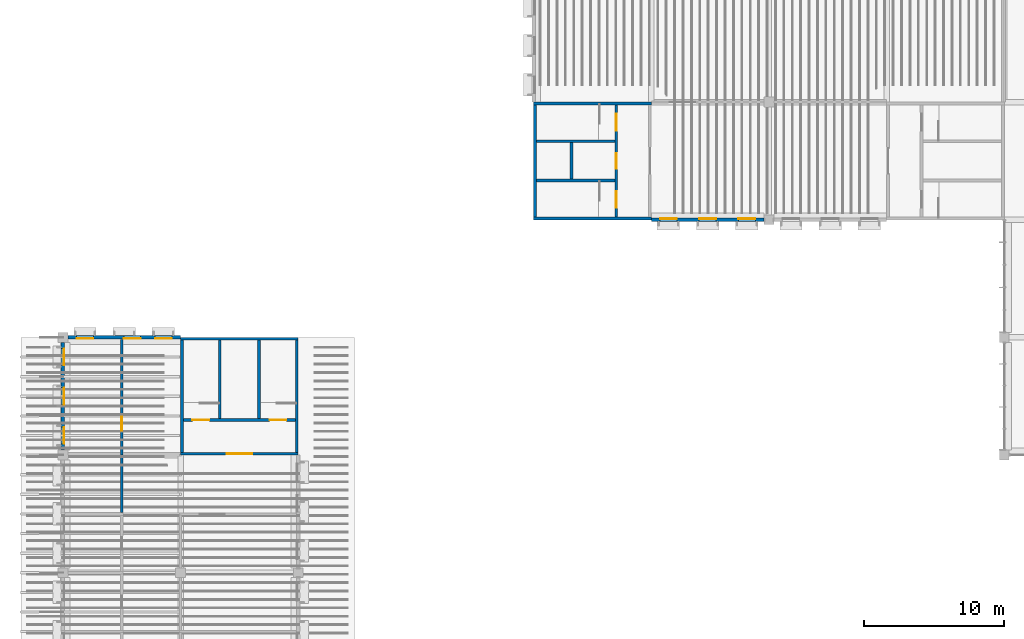
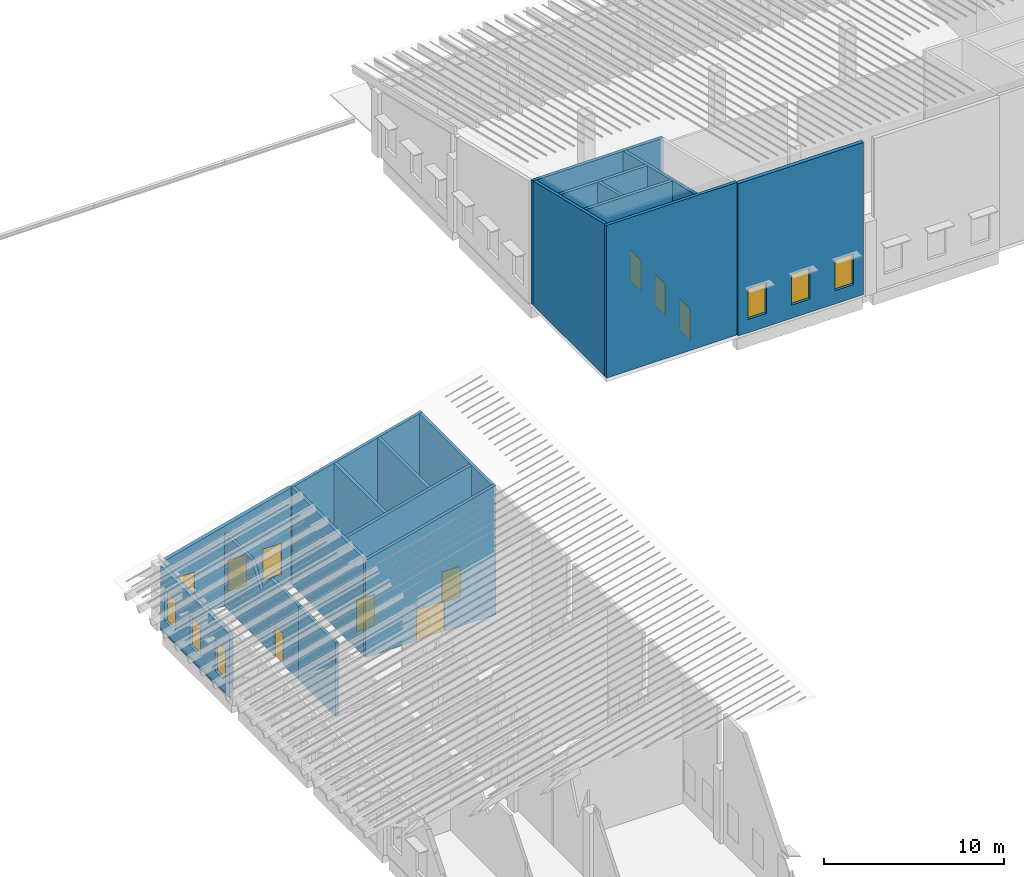
# One storey, part 23 of 82: 19 walls, 9 windows, 7 doors, 16 openings.
"""IFC4 building model written with IfcOpenShell, lengths in metres."""

import ifcopenshell
import ifcopenshell.guid

model = None  # the IFC model being written
_history = None  # IfcOwnerHistory: only IFC2X3 demands one
_inside = {}  # id of a spatial element -> (the spatial element, [elements in it])
_under = {}  # id of a project, library or spatial element -> (it, [spatial elements below it])
_declared = {}  # id of a project -> (the project, [libraries it declares])
_typed = {}  # id of a type object -> (the type object, [elements of that type])
_made_of = {}  # id of a material, layer set ... -> (it, [elements and type objects made of it])


def new_model(schema):
    """Start an empty IFC model of exactly this schema.

    Asked for "IFC4X3", IfcOpenShell would pick the latest addendum, in which some entities
    have other attributes; the version numbers below select the first issue.
    IFC2X3 requires an IfcOwnerHistory on every rooted entity: one is made here for all.
    """
    global model, _history
    if schema == "IFC4X3":
        model = ifcopenshell.file(schema_version=(4, 3, 0, 0))
    else:
        model = ifcopenshell.file(schema=schema)
    _inside.clear()
    _under.clear()
    _declared.clear()
    _typed.clear()
    _made_of.clear()
    _history = None
    if model.schema == "IFC2X3":
        org = make("IfcOrganization", Name="unknown")
        user = make(
            "IfcPersonAndOrganization",
            ThePerson=make("IfcPerson", FamilyName="unknown"),
            TheOrganization=org,
        )
        app = make(
            "IfcApplication",
            ApplicationDeveloper=org,
            Version="unknown",
            ApplicationFullName="unknown",
            ApplicationIdentifier="unknown",
        )
        _history = make(
            "IfcOwnerHistory",
            OwningUser=user,
            OwningApplication=app,
            ChangeAction="ADDED",
            CreationDate=0,
        )
    return model


def make(cls, **values):
    """One entity of the class cls with the attributes given. An attribute that is None is left unset."""
    return model.create_entity(
        cls, **{name: value for name, value in values.items() if value is not None}
    )


def rooted(cls, **values):
    """An entity with a GlobalId (a new one), such as an element, a storey or a relation."""
    return make(cls, GlobalId=ifcopenshell.guid.new(), OwnerHistory=_history, **values)


def si_unit(unit_type, name, prefix=None):
    """IfcSIUnit, for example si_unit("LENGTHUNIT", "METRE", prefix="MILLI")."""
    return make("IfcSIUnit", UnitType=unit_type, Prefix=prefix, Name=name)


def assignment(units):
    """IfcUnitAssignment: the units of a project."""
    return None if units is None else make("IfcUnitAssignment", Units=units)


def point(xyz):
    """IfcCartesianPoint."""
    return None if xyz is None else make("IfcCartesianPoint", Coordinates=xyz)


def direction(xyz):
    """IfcDirection."""
    return None if xyz is None else make("IfcDirection", DirectionRatios=xyz)


def frame(location, z_axis=None, x_axis=None):
    """IfcAxis2Placement3D, a coordinate frame: its origin and axes. An axis left out is left unset."""
    return make(
        "IfcAxis2Placement3D",
        Location=point(location),
        Axis=direction(z_axis),
        RefDirection=direction(x_axis),
    )


def frame_2d(location, x_axis=None):
    """IfcAxis2Placement2D, a coordinate frame in the plane: its origin and x axis."""
    return make(
        "IfcAxis2Placement2D", Location=point(location), RefDirection=direction(x_axis)
    )


def origin():
    """The frame at (0, 0, 0) with its axes left unset."""
    return frame((0.0, 0.0, 0.0))


def place(relative_to, where):
    """IfcLocalPlacement: puts the frame where relative to a parent placement (None: the world)."""
    return make(
        "IfcLocalPlacement", PlacementRelTo=relative_to, RelativePlacement=where
    )


def context(
    kind, dimensions, precision=None, world=None, true_north=None, identifier=None
):
    """IfcGeometricRepresentationContext, for example the 3D "Model" context."""
    return make(
        "IfcGeometricRepresentationContext",
        ContextIdentifier=identifier,
        ContextType=kind,
        CoordinateSpaceDimension=dimensions,
        Precision=precision,
        WorldCoordinateSystem=world,
        TrueNorth=true_north,
    )


def subcontext(parent, identifier, kind, view, scale=None):
    """IfcGeometricRepresentationSubContext, for example "Body" below "Model"."""
    return make(
        "IfcGeometricRepresentationSubContext",
        ContextIdentifier=identifier,
        ContextType=kind,
        ParentContext=parent,
        TargetScale=scale,
        TargetView=view,
    )


def project(units=None, contexts=None):
    """IfcProject with its units and contexts."""
    return rooted(
        "IfcProject",
        Name="project",
        RepresentationContexts=contexts,
        UnitsInContext=assignment(units),
    )


def spatial(cls, under=None, at=None, **own):
    """A site, building, storey or space (cls), placed at a placement, below another one or the project."""
    s = rooted(cls, ObjectPlacement=at, **own)
    if under is not None:
        _under.setdefault(under.id(), (under, []))[1].append(s)
    return s


def polyline(points):
    """IfcPolyline through the points."""
    return make("IfcPolyline", Points=[point(p) for p in points])


def profile(cls, at=None, kind="AREA", **sizes):
    """A parametric profile (cls). Its sizes go by their IFC names, for example OverallWidth=200.0."""
    return make(cls, ProfileType=kind, Position=at, **sizes)


def rectangle(**sizes):
    """IfcRectangleProfileDef."""
    return profile("IfcRectangleProfileDef", **sizes)


def outline(outer, holes=None, kind="AREA"):
    """IfcArbitraryClosedProfileDef: a profile drawn as a closed curve; with holes, ...WithVoids."""
    if holes is None:
        return make("IfcArbitraryClosedProfileDef", ProfileType=kind, OuterCurve=outer)
    return make(
        "IfcArbitraryProfileDefWithVoids",
        ProfileType=kind,
        OuterCurve=outer,
        InnerCurves=holes,
    )


def extrude(swept, where, along, depth):
    """IfcExtrudedAreaSolid: the profile swept, set in the frame where, extruded along a direction by depth."""
    return make(
        "IfcExtrudedAreaSolid",
        SweptArea=swept,
        Position=where,
        ExtrudedDirection=direction(along),
        Depth=depth,
    )


def shape(context_of_items, identifier, shape_type, items):
    """IfcShapeRepresentation: the items that make up one representation, for example the "Body"."""
    return make(
        "IfcShapeRepresentation",
        ContextOfItems=context_of_items,
        RepresentationIdentifier=identifier,
        RepresentationType=shape_type,
        Items=items,
    )


def material(Name=None, Category=None):
    """IfcMaterial."""
    return make("IfcMaterial", Name=Name, Category=Category)


def layer(
    of_material, thickness, ventilated=None, Name=None, Category=None, Priority=None
):
    """IfcMaterialLayer: one layer of a wall or slab, of a material (None: an air gap)."""
    return make(
        "IfcMaterialLayer",
        Material=of_material,
        LayerThickness=thickness,
        IsVentilated=ventilated,
        Name=Name,
        Category=Category,
        Priority=Priority,
    )


def layer_set(layers, Name=None):
    """IfcMaterialLayerSet."""
    return make("IfcMaterialLayerSet", MaterialLayers=layers, LayerSetName=Name)


def made_of(thing, what):
    """Note that an element or type object is made of a material, layer set ...; save() writes the relation."""
    if what is not None:
        _made_of.setdefault(what.id(), (what, []))[1].append(thing)
    return thing


def type_object(cls, material=None, **own):
    """A type object (cls), such as IfcWallType, which elements share."""
    return made_of(rooted(cls, **own), material)


def element(
    cls,
    number,
    at=None,
    inside=None,
    cuts=None,
    type_object=None,
    material=None,
    context=None,
    identifier="Body",
    shape_type=None,
    held_by="IfcProductDefinitionShape",
    body=None,
    shapes=None,
    **own,
):
    """One element of the class cls, such as IfcWall. Its Tag is "e" and its number.

    at: its placement. inside: the storey or other place that contains it. cuts: it is an
    opening in that element (IfcRelVoidsElement). A single representation is given by context,
    identifier, shape_type and body (its items); several are given by shapes. held_by: the class
    of the entity that holds the representations. save() writes the other relations.
    """
    e = rooted(cls, Tag="e%d" % number, ObjectPlacement=at, **own)
    if body is not None:
        shapes = [shape(context, identifier, shape_type, body)]
    if shapes is not None:
        e.Representation = make(held_by, Representations=shapes)
    if inside is not None:
        _inside.setdefault(inside.id(), (inside, []))[1].append(e)
    if cuts is not None:
        rooted(
            "IfcRelVoidsElement", RelatingBuildingElement=cuts, RelatedOpeningElement=e
        )
    if type_object is not None:
        _typed.setdefault(type_object.id(), (type_object, []))[1].append(e)
    return made_of(e, material)


def fill(opening, filler):
    """IfcRelFillsElement: the door or window that sits in an opening."""
    return rooted(
        "IfcRelFillsElement",
        RelatingOpeningElement=opening,
        RelatedBuildingElement=filler,
    )


def aggregate(whole, parts):
    """IfcRelAggregates: a whole, such as a stair, and the parts it consists of."""
    return rooted("IfcRelAggregates", RelatingObject=whole, RelatedObjects=parts)


def save(model, path):
    """Write the relations noted so far, then the file.

    IfcRelAggregates (storeys below a building ...), IfcRelContainedInSpatialStructure (elements
    in a storey), IfcRelDefinesByType, IfcRelAssociatesMaterial and IfcRelDeclares: one each for
    every whole, place, type object, material and project.
    """
    for whole, parts in _under.values():
        aggregate(whole, parts)
    for where, things in _inside.values():
        rooted(
            "IfcRelContainedInSpatialStructure",
            RelatedElements=things,
            RelatingStructure=where,
        )
    for kind, things in _typed.values():
        rooted("IfcRelDefinesByType", RelatedObjects=things, RelatingType=kind)
    for what, things in _made_of.values():
        rooted("IfcRelAssociatesMaterial", RelatedObjects=things, RelatingMaterial=what)
    for by, libraries in _declared.values():
        rooted("IfcRelDeclares", RelatingContext=by, RelatedDefinitions=libraries)
    model.write(path)


model = new_model("IFC4")

# Units and contexts
model_context = context("Model", 3, precision=1e-05, world=origin(), true_north=direction((0.0, 1.0)))
body_context = subcontext(model_context, "Body", "Model", "MODEL_VIEW")
ifc_project = project(units=[si_unit("LENGTHUNIT", "METRE"), si_unit("AREAUNIT", "SQUARE_METRE"), si_unit("VOLUMEUNIT", "CUBIC_METRE"), si_unit("PLANEANGLEUNIT", "RADIAN"), si_unit("MASSUNIT", "GRAM", prefix="KILO")], contexts=[model_context])

# Site, building, storey
site_placement = place(None, origin())
site = spatial("IfcSite", under=ifc_project, at=site_placement, CompositionType="ELEMENT")
building_placement = place(site_placement, origin())
building = spatial("IfcBuilding", under=site, at=building_placement, Name="Almond Square Museum", CompositionType="ELEMENT")
storey_placement = place(building_placement, frame((0.0, 0.0, 20.0)))
storey = spatial("IfcBuildingStorey", under=building, at=storey_placement, Name="L03", CompositionType="ELEMENT", Elevation=20.0)

# Wall
ifc_material_1 = material(Name="Concrete blockwork 200", Category="masonry")
ifc_layer_1 = layer(ifc_material_1, 0.199951171875)
ifc_layer_set_1 = layer_set([ifc_layer_1], Name="Concrete blockwork 200")
wall_type_1 = type_object("IfcWallType", Name="Fire partition 200 blockwork", PredefinedType="PARTITIONING", material=ifc_layer_set_1)
wall_1_placement = place(storey_placement, frame((10.199951171875, 63.10009765625, 0.0), z_axis=(0.0, 0.0, 1.0), x_axis=(0.0, 1.0, 0.0)))
element("IfcWall", 1, at=wall_1_placement, inside=storey, type_object=wall_type_1, Name="L03 partition 20", PredefinedType="PARTITIONING", context=body_context, shape_type="SweptSolid", body=[
    extrude(rectangle(XDim=4.099853515625, YDim=0.199951171875, at=frame_2d((2.0498046875, 0.0))), origin(), (0.0, 0.0, 1.0), 5.0),
])

# Wall, opening, door
wall_2_placement = place(storey_placement, frame((10.199951171875, 67.199951171875, 0.0), z_axis=(0.0, 0.0, 1.0), x_axis=(0.0, 1.0, 0.0)))
wall_2 = element("IfcWall", 2, at=wall_2_placement, inside=storey, type_object=wall_type_1, Name="L03 partition 21", PredefinedType="PARTITIONING", context=body_context, shape_type="SweptSolid", body=[
    extrude(outline(polyline([(0.0, 0.0), (8.25, 0.0), (8.25, 5.0), (5.25, 5.0), (4.199951171875, 3.56201171875), (3.14990234375, 5.0), (0.0, 5.0), (0.0, 0.0)])), frame((0.0, 0.10009765625, 0.0), z_axis=(0.0, -1.0, 0.0), x_axis=(1.0, 0.0, 0.0)), (0.0, 0.0, 1.0), 0.199951171875),
])
opening_1_placement = place(wall_2_placement, frame((1.72509765625, 0.0, 0.0)))
opening_1 = element("IfcOpeningElement", 3, at=opening_1_placement, cuts=wall_2, Name="Opening D3105", PredefinedType="OPENING", context=body_context, shape_type="SweptSolid", body=[
    extrude(rectangle(XDim=1.0, YDim=2.10009765625, at=frame_2d((0.5, 1.050048828125))), frame((0.0, 0.10986328125, 0.0), z_axis=(0.0, -1.0, 0.0), x_axis=(1.0, 0.0, 0.0)), (0.0, 0.0, 1.0), 0.219970703125),
])
ifc_material_2 = material(Name="Steel", Category="steel")
door_type_1 = type_object("IfcDoorType", Name="Fire door 1000 x 2100 FD60 single", OperationType="NOTDEFINED", PredefinedType="DOOR", material=ifc_material_2)
door_1_placement = place(opening_1_placement, origin())
door_1 = element("IfcDoor", 4, at=door_1_placement, inside=storey, type_object=door_type_1, Name="L03 door Cleaners' Store 1 to Wing Corridor", OperationType="SINGLE_SWING_LEFT", OverallHeight=2.10009765625, OverallWidth=1.0, PredefinedType="DOOR", context=body_context, shape_type="SweptSolid", body=[
    extrude(rectangle(XDim=1.0, YDim=2.10009765625, at=frame_2d((0.5, 1.050048828125))), frame((0.0, 0.02490234375, 0.0), z_axis=(0.0, -1.0, 0.0), x_axis=(1.0, 0.0, 0.0)), (0.0, 0.0, 1.0), 0.050048828125),
])
fill(opening_1, door_1)

# Wall, openings, windows
ifc_material_3 = material(Name="Precast concrete C40/50", Category="concrete")
ifc_layer_2 = layer(ifc_material_3, 0.25)
ifc_layer_set_2 = layer_set([ifc_layer_2], Name="Precast concrete C40/50")
wall_type_2 = type_object("IfcWallType", Name="Precast concrete panel wall 250 with coral limestone piers", PredefinedType="SOLIDWALL", material=ifc_layer_set_2)
wall_3_placement = place(storey_placement, frame((6.35009765625, 75.60009765625, 0.0), z_axis=(0.0, 0.0, 1.0), x_axis=(1.0, 0.0, 0.0)))
wall_3 = element("IfcWall", 5, at=wall_3_placement, inside=storey, type_object=wall_type_2, Name="External wall W2 V4W L03 N01", PredefinedType="SOLIDWALL", context=body_context, shape_type="SweptSolid", body=[
    extrude(outline(polyline([(0.0, 0.0), (8.0498046875, 0.0), (8.050048828125, 6.545654296875), (0.0, 4.437255859375), (0.0, 0.0)])), frame((0.0, 0.125, 0.0), z_axis=(0.0, -1.0, 0.0), x_axis=(1.0, 0.0, 0.0)), (0.0, 0.0, 1.0), 0.25),
])
opening_2_placement = place(wall_3_placement, frame((0.625, 0.0, 0.89990234375)))
opening_2 = element("IfcOpeningElement", 6, at=opening_2_placement, cuts=wall_3, Name="Opening W3032", PredefinedType="OPENING", context=body_context, shape_type="SweptSolid", body=[
    extrude(rectangle(XDim=1.199951171875, YDim=2.10009765625, at=frame_2d((0.60009765625, 1.050048828125))), frame((0.0, 0.135009765625, 0.0), z_axis=(0.0, -1.0, 0.0), x_axis=(1.0, 0.0, 0.0)), (0.0, 0.0, 1.0), 0.27001953125),
])
opening_3_placement = place(wall_3_placement, frame((4.0, 0.0, 0.89990234375)))
opening_3 = element("IfcOpeningElement", 7, at=opening_3_placement, cuts=wall_3, Name="Opening W3033", PredefinedType="OPENING", context=body_context, shape_type="SweptSolid", body=[
    extrude(rectangle(XDim=1.199951171875, YDim=2.10009765625, at=frame_2d((0.60009765625, 1.050048828125))), frame((0.0, 0.135009765625, 0.0), z_axis=(0.0, -1.0, 0.0), x_axis=(1.0, 0.0, 0.0)), (0.0, 0.0, 1.0), 0.27001953125),
])
opening_4_placement = place(wall_3_placement, frame((6.22509765625, 0.0, 0.89990234375)))
opening_4 = element("IfcOpeningElement", 8, at=opening_4_placement, cuts=wall_3, Name="Opening W3034", PredefinedType="OPENING", context=body_context, shape_type="SweptSolid", body=[
    extrude(rectangle(XDim=1.199951171875, YDim=2.10009765625, at=frame_2d((0.60009765625, 1.050048828125))), frame((0.0, 0.135009765625, 0.0), z_axis=(0.0, -1.0, 0.0), x_axis=(1.0, 0.0, 0.0)), (0.0, 0.0, 1.0), 0.27001953125),
])
ifc_material_4 = material(Name="Anodised aluminium louvre and laminated glass", Category="aluminium")
window_type = type_object("IfcWindowType", Name="Louvred pier window", PartitioningType="SINGLE_PANEL", PredefinedType="WINDOW", material=ifc_material_4)
window_1_placement = place(opening_2_placement, origin())
window_1 = element("IfcWindow", 9, at=window_1_placement, inside=storey, type_object=window_type, Name="Louvred pier window W3032", OverallHeight=2.10009765625, OverallWidth=1.199951171875, PartitioningType="SINGLE_PANEL", PredefinedType="WINDOW", context=body_context, shape_type="SweptSolid", body=[
    extrude(rectangle(XDim=1.199951171875, YDim=2.10009765625, at=frame_2d((0.60009765625, 1.050048828125))), frame((0.0, -0.044921875, 0.0), z_axis=(0.0, -1.0, 0.0), x_axis=(1.0, 0.0, 0.0)), (0.0, 0.0, 1.0), 0.06005859375),
])
fill(opening_2, window_1)
window_2_placement = place(opening_3_placement, origin())
window_2 = element("IfcWindow", 10, at=window_2_placement, inside=storey, type_object=window_type, Name="Louvred pier window W3033", OverallHeight=2.10009765625, OverallWidth=1.199951171875, PartitioningType="SINGLE_PANEL", PredefinedType="WINDOW", context=body_context, shape_type="SweptSolid", body=[
    extrude(rectangle(XDim=1.199951171875, YDim=2.10009765625, at=frame_2d((0.60009765625, 1.050048828125))), frame((0.0, -0.044921875, 0.0), z_axis=(0.0, -1.0, 0.0), x_axis=(1.0, 0.0, 0.0)), (0.0, 0.0, 1.0), 0.06005859375),
])
fill(opening_3, window_2)
window_3_placement = place(opening_4_placement, origin())
window_3 = element("IfcWindow", 11, at=window_3_placement, inside=storey, type_object=window_type, Name="Louvred pier window W3034", OverallHeight=2.10009765625, OverallWidth=1.199951171875, PartitioningType="SINGLE_PANEL", PredefinedType="WINDOW", context=body_context, shape_type="SweptSolid", body=[
    extrude(rectangle(XDim=1.199951171875, YDim=2.10009765625, at=frame_2d((0.60009765625, 1.050048828125))), frame((0.0, -0.044921875, 0.0), z_axis=(0.0, -1.0, 0.0), x_axis=(1.0, 0.0, 0.0)), (0.0, 0.0, 1.0), 0.06005859375),
])
fill(opening_4, window_3)

wall_4_placement = place(storey_placement, frame((6.0, 67.550048828125, 0.0), z_axis=(0.0, 0.0, 1.0), x_axis=(0.0, 1.0, 0.0)))
wall_4 = element("IfcWall", 12, at=wall_4_placement, inside=storey, type_object=wall_type_2, Name="External wall W2 V4W L03 W01", PredefinedType="SOLIDWALL", context=body_context, shape_type="SweptSolid", body=[
    extrude(rectangle(XDim=7.699951171875, YDim=0.25, at=frame_2d((3.85009765625, 0.0))), origin(), (0.0, 0.0, 1.0), 4.345703125),
])
opening_5_placement = place(wall_4_placement, frame((0.449951171875, 0.0, 0.89990234375)))
opening_5 = element("IfcOpeningElement", 13, at=opening_5_placement, cuts=wall_4, Name="Opening W3035", PredefinedType="OPENING", context=body_context, shape_type="SweptSolid", body=[
    extrude(rectangle(XDim=1.199951171875, YDim=2.10009765625, at=frame_2d((0.60009765625, 1.050048828125))), frame((0.0, 0.135009765625, 0.0), z_axis=(0.0, -1.0, 0.0), x_axis=(1.0, 0.0, 0.0)), (0.0, 0.0, 1.0), 0.27001953125),
])
opening_6_placement = place(wall_4_placement, frame((3.25, 0.0, 0.89990234375)))
opening_6 = element("IfcOpeningElement", 14, at=opening_6_placement, cuts=wall_4, Name="Opening W3036", PredefinedType="OPENING", context=body_context, shape_type="SweptSolid", body=[
    extrude(rectangle(XDim=1.199951171875, YDim=2.10009765625, at=frame_2d((0.60009765625, 1.050048828125))), frame((0.0, 0.135009765625, 0.0), z_axis=(0.0, -1.0, 0.0), x_axis=(1.0, 0.0, 0.0)), (0.0, 0.0, 1.0), 0.27001953125),
])
opening_7_placement = place(wall_4_placement, frame((6.050048828125, 0.0, 0.89990234375)))
opening_7 = element("IfcOpeningElement", 15, at=opening_7_placement, cuts=wall_4, Name="Opening W3037", PredefinedType="OPENING", context=body_context, shape_type="SweptSolid", body=[
    extrude(rectangle(XDim=1.199951171875, YDim=2.10009765625, at=frame_2d((0.60009765625, 1.050048828125))), frame((0.0, 0.135009765625, 0.0), z_axis=(0.0, -1.0, 0.0), x_axis=(1.0, 0.0, 0.0)), (0.0, 0.0, 1.0), 0.27001953125),
])
window_4_placement = place(opening_5_placement, origin())
window_4 = element("IfcWindow", 16, at=window_4_placement, inside=storey, type_object=window_type, Name="Louvred pier window W3035", OverallHeight=2.10009765625, OverallWidth=1.199951171875, PartitioningType="SINGLE_PANEL", PredefinedType="WINDOW", context=body_context, shape_type="SweptSolid", body=[
    extrude(rectangle(XDim=1.199951171875, YDim=2.10009765625, at=frame_2d((0.60009765625, 1.050048828125))), frame((0.0, -0.044921875, 0.0), z_axis=(0.0, -1.0, 0.0), x_axis=(1.0, 0.0, 0.0)), (0.0, 0.0, 1.0), 0.06005859375),
])
fill(opening_5, window_4)
window_5_placement = place(opening_6_placement, origin())
window_5 = element("IfcWindow", 17, at=window_5_placement, inside=storey, type_object=window_type, Name="Louvred pier window W3036", OverallHeight=2.10009765625, OverallWidth=1.199951171875, PartitioningType="SINGLE_PANEL", PredefinedType="WINDOW", context=body_context, shape_type="SweptSolid", body=[
    extrude(rectangle(XDim=1.199951171875, YDim=2.10009765625, at=frame_2d((0.60009765625, 1.050048828125))), frame((0.0, -0.044921875, 0.0), z_axis=(0.0, -1.0, 0.0), x_axis=(1.0, 0.0, 0.0)), (0.0, 0.0, 1.0), 0.06005859375),
])
fill(opening_6, window_5)
window_6_placement = place(opening_7_placement, origin())
window_6 = element("IfcWindow", 18, at=window_6_placement, inside=storey, type_object=window_type, Name="Louvred pier window W3037", OverallHeight=2.10009765625, OverallWidth=1.199951171875, PartitioningType="SINGLE_PANEL", PredefinedType="WINDOW", context=body_context, shape_type="SweptSolid", body=[
    extrude(rectangle(XDim=1.199951171875, YDim=2.10009765625, at=frame_2d((0.60009765625, 1.050048828125))), frame((0.0, -0.044921875, 0.0), z_axis=(0.0, -1.0, 0.0), x_axis=(1.0, 0.0, 0.0)), (0.0, 0.0, 1.0), 0.06005859375),
])
fill(opening_7, window_6)

wall_5_placement = place(storey_placement, frame((48.0, 84.0, 0.0), z_axis=(0.0, 0.0, 1.0), x_axis=(1.0, 0.0, 0.0)))
wall_5 = element("IfcWall", 19, at=wall_5_placement, inside=storey, type_object=wall_type_2, Name="External wall W2 V4N L03 S01", PredefinedType="SOLIDWALL", context=body_context, shape_type="SweptSolid", body=[
    extrude(rectangle(XDim=8.050048828125, YDim=0.25, at=frame_2d((4.02490234375, 0.0))), origin(), (0.0, 0.0, 1.0), 10.349365234375),
])
opening_8_placement = place(wall_5_placement, frame((0.625, 0.0, 0.89990234375)))
opening_8 = element("IfcOpeningElement", 20, at=opening_8_placement, cuts=wall_5, Name="Opening W3075", PredefinedType="OPENING", context=body_context, shape_type="SweptSolid", body=[
    extrude(rectangle(XDim=1.199951171875, YDim=2.10009765625, at=frame_2d((0.60009765625, 1.050048828125))), frame((0.0, 0.135009765625, 0.0), z_axis=(0.0, -1.0, 0.0), x_axis=(1.0, 0.0, 0.0)), (0.0, 0.0, 1.0), 0.27001953125),
])
opening_9_placement = place(wall_5_placement, frame((3.425048828125, 0.0, 0.89990234375)))
opening_9 = element("IfcOpeningElement", 21, at=opening_9_placement, cuts=wall_5, Name="Opening W3076", PredefinedType="OPENING", context=body_context, shape_type="SweptSolid", body=[
    extrude(rectangle(XDim=1.199951171875, YDim=2.10009765625, at=frame_2d((0.60009765625, 1.050048828125))), frame((0.0, 0.135009765625, 0.0), z_axis=(0.0, -1.0, 0.0), x_axis=(1.0, 0.0, 0.0)), (0.0, 0.0, 1.0), 0.27001953125),
])
opening_10_placement = place(wall_5_placement, frame((6.22509765625, 0.0, 0.89990234375)))
opening_10 = element("IfcOpeningElement", 22, at=opening_10_placement, cuts=wall_5, Name="Opening W3077", PredefinedType="OPENING", context=body_context, shape_type="SweptSolid", body=[
    extrude(rectangle(XDim=1.199951171875, YDim=2.10009765625, at=frame_2d((0.60009765625, 1.050048828125))), frame((0.0, 0.135009765625, 0.0), z_axis=(0.0, -1.0, 0.0), x_axis=(1.0, 0.0, 0.0)), (0.0, 0.0, 1.0), 0.27001953125),
])
window_7_placement = place(opening_8_placement, origin())
window_7 = element("IfcWindow", 23, at=window_7_placement, inside=storey, type_object=window_type, Name="Louvred pier window W3075", OverallHeight=2.10009765625, OverallWidth=1.199951171875, PartitioningType="SINGLE_PANEL", PredefinedType="WINDOW", context=body_context, shape_type="SweptSolid", body=[
    extrude(rectangle(XDim=1.199951171875, YDim=2.10009765625, at=frame_2d((0.60009765625, 1.050048828125))), frame((0.0, 0.10498046875, 0.0), z_axis=(0.0, -1.0, 0.0), x_axis=(1.0, 0.0, 0.0)), (0.0, 0.0, 1.0), 0.06005859375),
])
fill(opening_8, window_7)
window_8_placement = place(opening_9_placement, origin())
window_8 = element("IfcWindow", 24, at=window_8_placement, inside=storey, type_object=window_type, Name="Louvred pier window W3076", OverallHeight=2.10009765625, OverallWidth=1.199951171875, PartitioningType="SINGLE_PANEL", PredefinedType="WINDOW", context=body_context, shape_type="SweptSolid", body=[
    extrude(rectangle(XDim=1.199951171875, YDim=2.10009765625, at=frame_2d((0.60009765625, 1.050048828125))), frame((0.0, 0.10498046875, 0.0), z_axis=(0.0, -1.0, 0.0), x_axis=(1.0, 0.0, 0.0)), (0.0, 0.0, 1.0), 0.06005859375),
])
fill(opening_9, window_8)
window_9_placement = place(opening_10_placement, origin())
window_9 = element("IfcWindow", 25, at=window_9_placement, inside=storey, type_object=window_type, Name="Louvred pier window W3077", OverallHeight=2.10009765625, OverallWidth=1.199951171875, PartitioningType="SINGLE_PANEL", PredefinedType="WINDOW", context=body_context, shape_type="SweptSolid", body=[
    extrude(rectangle(XDim=1.199951171875, YDim=2.10009765625, at=frame_2d((0.60009765625, 1.050048828125))), frame((0.0, 0.10498046875, 0.0), z_axis=(0.0, -1.0, 0.0), x_axis=(1.0, 0.0, 0.0)), (0.0, 0.0, 1.0), 0.06005859375),
])
fill(opening_10, window_9)

# Walls
ifc_material_5 = material(Name="Concrete C40/50", Category="concrete")
ifc_layer_3 = layer(ifc_material_5, 0.199951171875)
ifc_layer_set_3 = layer_set([ifc_layer_3], Name="Concrete C40/50")
wall_type_3 = type_object("IfcWallType", Name="RC shear wall 200 C40/50", PredefinedType="SHEAR", material=ifc_layer_set_3)
wall_6_placement = place(storey_placement, frame((39.60009765625, 84.10009765625, 0.0), z_axis=(0.0, 0.0, 1.0), x_axis=(1.0, 0.0, 0.0)))
element("IfcWall", 26, at=wall_6_placement, inside=storey, type_object=wall_type_3, Name="Core N1 south wall L03", PredefinedType="SHEAR", context=body_context, shape_type="SweptSolid", body=[
    extrude(rectangle(XDim=8.39990234375, YDim=0.199951171875, at=frame_2d((4.199951171875, 0.0))), origin(), (0.0, 0.0, 1.0), 10.375),
])
wall_7_placement = place(storey_placement, frame((39.60009765625, 92.300048828125, 0.0), z_axis=(0.0, 0.0, 1.0), x_axis=(1.0, 0.0, 0.0)))
element("IfcWall", 27, at=wall_7_placement, inside=storey, type_object=wall_type_3, Name="Core N1 north wall L03", PredefinedType="SHEAR", context=body_context, shape_type="SweptSolid", body=[
    extrude(rectangle(XDim=8.39990234375, YDim=0.199951171875, at=frame_2d((4.199951171875, 0.0))), origin(), (0.0, 0.0, 1.0), 8.425048828125),
])
wall_8_placement = place(storey_placement, frame((39.699951171875, 84.199951171875, 0.0), z_axis=(0.0, 0.0, 1.0), x_axis=(0.0, 1.0, 0.0)))
element("IfcWall", 28, at=wall_8_placement, inside=storey, type_object=wall_type_3, Name="Core N1 west wall L03", PredefinedType="SHEAR", context=body_context, shape_type="SweptSolid", body=[
    extrude(outline(polyline([(0.0, 0.0), (8.0, 0.0), (8.0, 8.447998046875), (7.70361328125, 8.51806640625), (7.407470703125, 8.589111328125), (7.111083984375, 8.658935546875), (6.814697265625, 8.72998046875), (6.5185546875, 8.800048828125), (6.22216796875, 8.87109375), (5.92578125, 8.94091796875), (5.333251953125, 9.0830078125), (5.037109375, 9.153076171875), (4.74072265625, 9.22412109375), (4.4443359375, 9.2939453125), (4.148193359375, 9.364990234375), (3.851806640625, 9.43505859375), (3.5556640625, 9.506103515625), (3.25927734375, 9.575927734375), (2.962890625, 9.64697265625), (2.666748046875, 9.717041015625), (2.07421875, 9.85888671875), (1.77783203125, 9.928955078125), (1.4814453125, 10.0), (1.185302734375, 10.070068359375), (0.888916015625, 10.14111328125), (0.592529296875, 10.2109375), (0.29638671875, 10.281982421875), (0.0, 10.35205078125), (0.0, 0.0)])), frame((0.0, 0.10009765625, 0.0), z_axis=(0.0, -1.0, 0.0), x_axis=(1.0, 0.0, 0.0)), (0.0, 0.0, 1.0), 0.199951171875),
])

# Wall, openings, doors
wall_9_placement = place(storey_placement, frame((45.5, 84.199951171875, 0.0), z_axis=(0.0, 0.0, 1.0), x_axis=(0.0, 1.0, 0.0)))
wall_9 = element("IfcWall", 29, at=wall_9_placement, inside=storey, type_object=wall_type_3, Name="Core N1 lobby wall L03", PredefinedType="SHEAR", context=body_context, shape_type="SweptSolid", body=[
    extrude(outline(polyline([(0.0, 0.0), (8.0, 0.0), (8.0, 8.447998046875), (7.70361328125, 8.51806640625), (7.407470703125, 8.589111328125), (7.111083984375, 8.658935546875), (6.814697265625, 8.72998046875), (6.5185546875, 8.800048828125), (6.22216796875, 8.87109375), (5.92578125, 8.94091796875), (5.333251953125, 9.0830078125), (5.037109375, 9.153076171875), (4.74072265625, 9.22412109375), (4.4443359375, 9.2939453125), (4.148193359375, 9.364990234375), (3.851806640625, 9.43505859375), (3.5556640625, 9.506103515625), (3.25927734375, 9.575927734375), (2.962890625, 9.64697265625), (2.666748046875, 9.717041015625), (2.07421875, 9.85888671875), (1.77783203125, 9.928955078125), (1.4814453125, 10.0), (1.185302734375, 10.070068359375), (0.888916015625, 10.14111328125), (0.592529296875, 10.2109375), (0.29638671875, 10.281982421875), (0.0, 10.35205078125), (0.0, 0.0)])), frame((0.0, 0.10009765625, 0.0), z_axis=(0.0, -1.0, 0.0), x_axis=(1.0, 0.0, 0.0)), (0.0, 0.0, 1.0), 0.199951171875),
])
opening_11_placement = place(wall_9_placement, frame((0.64990234375, 0.0, 0.0)))
opening_11 = element("IfcOpeningElement", 30, at=opening_11_placement, cuts=wall_9, Name="Opening D3158", PredefinedType="OPENING", context=body_context, shape_type="SweptSolid", body=[
    extrude(rectangle(XDim=1.199951171875, YDim=2.10009765625, at=frame_2d((0.60009765625, 1.050048828125))), frame((0.0, 0.10986328125, 0.0), z_axis=(0.0, -1.0, 0.0), x_axis=(1.0, 0.0, 0.0)), (0.0, 0.0, 1.0), 0.219970703125),
])
opening_12_placement = place(wall_9_placement, frame((6.14990234375, 0.0, 0.0)))
opening_12 = element("IfcOpeningElement", 31, at=opening_12_placement, cuts=wall_9, Name="Opening D3159", PredefinedType="OPENING", context=body_context, shape_type="SweptSolid", body=[
    extrude(rectangle(XDim=1.199951171875, YDim=2.10009765625, at=frame_2d((0.60009765625, 1.050048828125))), frame((0.0, 0.10986328125, 0.0), z_axis=(0.0, -1.0, 0.0), x_axis=(1.0, 0.0, 0.0)), (0.0, 0.0, 1.0), 0.219970703125),
])
opening_13_placement = place(wall_9_placement, frame((3.449951171875, 0.0, 0.0)))
opening_13 = element("IfcOpeningElement", 32, at=opening_13_placement, cuts=wall_9, Name="Opening D3160", PredefinedType="OPENING", context=body_context, shape_type="SweptSolid", body=[
    extrude(rectangle(XDim=1.10009765625, YDim=2.10009765625, at=frame_2d((0.550048828125, 1.050048828125))), frame((0.0, 0.10986328125, 0.0), z_axis=(0.0, -1.0, 0.0), x_axis=(1.0, 0.0, 0.0)), (0.0, 0.0, 1.0), 0.219970703125),
])
ifc_material_6 = material(Name="Steel", Category="steel")
door_type_2 = type_object("IfcDoorType", Name="Fire door 1200 x 2100 FD120 stair", OperationType="NOTDEFINED", PredefinedType="DOOR", material=ifc_material_6)
door_2_placement = place(opening_11_placement, origin())
door_2 = element("IfcDoor", 33, at=door_2_placement, inside=storey, type_object=door_type_2, Name="L03 stair N1-1 door", OperationType="SINGLE_SWING_LEFT", OverallHeight=2.10009765625, OverallWidth=1.199951171875, PredefinedType="DOOR", context=body_context, shape_type="SweptSolid", body=[
    extrude(rectangle(XDim=1.199951171875, YDim=2.10009765625, at=frame_2d((0.60009765625, 1.050048828125))), frame((0.0, 0.02490234375, 0.0), z_axis=(0.0, -1.0, 0.0), x_axis=(1.0, 0.0, 0.0)), (0.0, 0.0, 1.0), 0.050048828125),
])
fill(opening_11, door_2)
door_3_placement = place(opening_12_placement, origin())
door_3 = element("IfcDoor", 34, at=door_3_placement, inside=storey, type_object=door_type_2, Name="L03 stair N1-2 door", OperationType="SINGLE_SWING_RIGHT", OverallHeight=2.10009765625, OverallWidth=1.199951171875, PredefinedType="DOOR", context=body_context, shape_type="SweptSolid", body=[
    extrude(rectangle(XDim=1.199951171875, YDim=2.10009765625, at=frame_2d((0.60009765625, 1.050048828125))), frame((0.0, 0.02490234375, 0.0), z_axis=(0.0, -1.0, 0.0), x_axis=(1.0, 0.0, 0.0)), (0.0, 0.0, 1.0), 0.050048828125),
])
fill(opening_12, door_3)
ifc_material_7 = material(Name="Stainless steel", Category="steel")
door_type_3 = type_object("IfcDoorType", Name="Lift landing door 1100 x 2100", OperationType="NOTDEFINED", PredefinedType="DOOR", material=ifc_material_7)
door_4_placement = place(opening_13_placement, origin())
door_4 = element("IfcDoor", 35, at=door_4_placement, inside=storey, type_object=door_type_3, Name="L03 lift PL-N1 landing door", OperationType="DOUBLE_DOOR_SLIDING", OverallHeight=2.10009765625, OverallWidth=1.10009765625, PredefinedType="DOOR", context=body_context, shape_type="SweptSolid", body=[
    extrude(rectangle(XDim=1.10009765625, YDim=2.10009765625, at=frame_2d((0.550048828125, 1.050048828125))), frame((0.0, 0.02490234375, 0.0), z_axis=(0.0, -1.0, 0.0), x_axis=(1.0, 0.0, 0.0)), (0.0, 0.0, 1.0), 0.050048828125),
])
fill(opening_13, door_4)

# Walls
wall_10_placement = place(storey_placement, frame((39.800048828125, 86.800048828125, 0.0), z_axis=(0.0, 0.0, 1.0), x_axis=(1.0, 0.0, 0.0)))
element("IfcWall", 36, at=wall_10_placement, inside=storey, type_object=wall_type_3, Name="Core N1 partition wall L03", PredefinedType="SHEAR", context=body_context, shape_type="SweptSolid", body=[
    extrude(rectangle(XDim=5.599853515625, YDim=0.199951171875, at=frame_2d((2.7998046875, 0.0))), origin(), (0.0, 0.0, 1.0), 9.732421875),
])
wall_11_placement = place(storey_placement, frame((39.800048828125, 89.60009765625, 0.0), z_axis=(0.0, 0.0, 1.0), x_axis=(1.0, 0.0, 0.0)))
element("IfcWall", 37, at=wall_11_placement, inside=storey, type_object=wall_type_3, Name="Core N1 partition wall L03", PredefinedType="SHEAR", context=body_context, shape_type="SweptSolid", body=[
    extrude(rectangle(XDim=5.599853515625, YDim=0.199951171875, at=frame_2d((2.7998046875, 0.0))), origin(), (0.0, 0.0, 1.0), 9.0673828125),
])
wall_12_placement = place(storey_placement, frame((42.300048828125, 86.89990234375, 0.0), z_axis=(0.0, 0.0, 1.0), x_axis=(0.0, 1.0, 0.0)))
element("IfcWall", 38, at=wall_12_placement, inside=storey, type_object=wall_type_3, Name="Core N1 partition wall L03", PredefinedType="SHEAR", context=body_context, shape_type="SweptSolid", body=[
    extrude(outline(polyline([(0.0, 0.0), (2.60009765625, 0.0), (2.60009765625, 9.090087890625), (1.4443359375, 9.365966796875), (1.155517578125, 9.43408203125), (0.0, 9.7099609375), (0.0, 0.0)])), frame((0.0, 0.10009765625, 0.0), z_axis=(0.0, -1.0, 0.0), x_axis=(1.0, 0.0, 0.0)), (0.0, 0.0, 1.0), 0.199951171875),
])

# Wall, opening, door
wall_13_placement = place(storey_placement, frame((14.39990234375, 67.300048828125, 0.0), z_axis=(0.0, 0.0, 1.0), x_axis=(1.0, 0.0, 0.0)))
wall_13 = element("IfcWall", 39, at=wall_13_placement, inside=storey, type_object=wall_type_3, Name="Core W2 south wall L03", PredefinedType="SHEAR", context=body_context, shape_type="SweptSolid", body=[
    extrude(outline(polyline([(0.0, 0.0), (8.400146484375, 0.0), (8.39990234375, 8.800048828125), (7.531005859375, 8.572021484375), (7.241455078125, 8.4970703125), (5.50341796875, 8.041015625), (5.2138671875, 7.966064453125), (3.186279296875, 7.43408203125), (2.896484375, 7.35888671875), (1.15869140625, 6.903076171875), (0.868896484375, 6.827880859375), (0.0, 6.60009765625), (0.0, 0.0)])), frame((0.0, 0.10009765625, 0.0), z_axis=(0.0, -1.0, 0.0), x_axis=(1.0, 0.0, 0.0)), (0.0, 0.0, 1.0), 0.199951171875),
])
opening_14_placement = place(wall_13_placement, frame((3.300048828125, 0.0, 0.0)))
opening_14 = element("IfcOpeningElement", 40, at=opening_14_placement, cuts=wall_13, Name="Opening D3168", PredefinedType="OPENING", context=body_context, shape_type="SweptSolid", body=[
    extrude(rectangle(XDim=1.800048828125, YDim=2.10009765625, at=frame_2d((0.89990234375, 1.050048828125))), frame((0.0, 0.10986328125, 0.0), z_axis=(0.0, -1.0, 0.0), x_axis=(1.0, 0.0, 0.0)), (0.0, 0.0, 1.0), 0.219970703125),
])
ifc_material_8 = material(Name="Steel", Category="steel")
door_type_4 = type_object("IfcDoorType", Name="Fire door 1800 x 2100 FD60 double", OperationType="NOTDEFINED", PredefinedType="DOOR", material=ifc_material_8)
door_5_placement = place(opening_14_placement, origin())
door_5 = element("IfcDoor", 41, at=door_5_placement, inside=storey, type_object=door_type_4, Name="L03 stair core W2 lobby door", OperationType="DOUBLE_DOOR_SINGLE_SWING", OverallHeight=2.10009765625, OverallWidth=1.800048828125, PredefinedType="DOOR", context=body_context, shape_type="SweptSolid", body=[
    extrude(rectangle(XDim=1.800048828125, YDim=2.10009765625, at=frame_2d((0.89990234375, 1.050048828125))), frame((0.0, 0.02490234375, 0.0), z_axis=(0.0, -1.0, 0.0), x_axis=(1.0, 0.0, 0.0)), (0.0, 0.0, 1.0), 0.050048828125),
])
fill(opening_14, door_5)

# Walls
wall_14_placement = place(storey_placement, frame((14.39990234375, 75.5, 0.0), z_axis=(0.0, 0.0, 1.0), x_axis=(1.0, 0.0, 0.0)))
element("IfcWall", 42, at=wall_14_placement, inside=storey, type_object=wall_type_3, Name="Core W2 north wall L03", PredefinedType="SHEAR", context=body_context, shape_type="SweptSolid", body=[
    extrude(outline(polyline([(0.0, 0.0), (8.400146484375, 0.0), (8.39990234375, 8.800048828125), (7.531005859375, 8.572021484375), (7.241455078125, 8.4970703125), (5.50341796875, 8.041015625), (5.2138671875, 7.966064453125), (3.186279296875, 7.43408203125), (2.896484375, 7.35888671875), (1.15869140625, 6.903076171875), (0.868896484375, 6.827880859375), (0.0, 6.60009765625), (0.0, 0.0)])), frame((0.0, 0.10009765625, 0.0), z_axis=(0.0, -1.0, 0.0), x_axis=(1.0, 0.0, 0.0)), (0.0, 0.0, 1.0), 0.199951171875),
])
wall_15_placement = place(storey_placement, frame((14.5, 67.39990234375, 0.0), z_axis=(0.0, 0.0, 1.0), x_axis=(0.0, 1.0, 0.0)))
element("IfcWall", 43, at=wall_15_placement, inside=storey, type_object=wall_type_3, Name="Core W2 west wall L03", PredefinedType="SHEAR", context=body_context, shape_type="SweptSolid", body=[
    extrude(rectangle(XDim=8.0, YDim=0.199951171875, at=frame_2d((4.0, 0.0))), origin(), (0.0, 0.0, 1.0), 6.625),
])
wall_16_placement = place(storey_placement, frame((22.699951171875, 67.39990234375, 0.0), z_axis=(0.0, 0.0, 1.0), x_axis=(0.0, 1.0, 0.0)))
element("IfcWall", 44, at=wall_16_placement, inside=storey, type_object=wall_type_3, Name="Core W2 east wall L03", PredefinedType="SHEAR", context=body_context, shape_type="SweptSolid", body=[
    extrude(rectangle(XDim=8.0, YDim=0.199951171875, at=frame_2d((4.0, 0.0))), origin(), (0.0, 0.0, 1.0), 8.77490234375),
])

# Wall, openings, doors
wall_17_placement = place(storey_placement, frame((14.60009765625, 69.699951171875, 0.0), z_axis=(0.0, 0.0, 1.0), x_axis=(1.0, 0.0, 0.0)))
wall_17 = element("IfcWall", 45, at=wall_17_placement, inside=storey, type_object=wall_type_3, Name="Core W2 lobby wall L03", PredefinedType="SHEAR", context=body_context, shape_type="SweptSolid", body=[
    extrude(outline(polyline([(0.0, 0.0), (8.0, 0.0), (8.0, 8.748046875), (7.407470703125, 8.592041015625), (7.111083984375, 8.514892578125), (6.814697265625, 8.43701171875), (6.5185546875, 8.360107421875), (5.92578125, 8.2041015625), (5.629638671875, 8.126953125), (5.333251953125, 8.049072265625), (5.037109375, 7.971923828125), (4.4443359375, 7.81591796875), (4.148193359375, 7.739013671875), (3.851806640625, 7.660888671875), (3.5556640625, 7.583984375), (2.962890625, 7.427978515625), (2.666748046875, 7.35107421875), (2.370361328125, 7.27294921875), (2.07421875, 7.196044921875), (1.4814453125, 7.0400390625), (1.185302734375, 6.962890625), (0.888916015625, 6.885009765625), (0.592529296875, 6.80810546875), (0.0, 6.652099609375), (0.0, 0.0)])), frame((0.0, 0.10009765625, 0.0), z_axis=(0.0, -1.0, 0.0), x_axis=(1.0, 0.0, 0.0)), (0.0, 0.0, 1.0), 0.199951171875),
])
opening_15_placement = place(wall_17_placement, frame((0.64990234375, 0.0, 0.0)))
opening_15 = element("IfcOpeningElement", 46, at=opening_15_placement, cuts=wall_17, Name="Opening D3169", PredefinedType="OPENING", context=body_context, shape_type="SweptSolid", body=[
    extrude(rectangle(XDim=1.199951171875, YDim=2.10009765625, at=frame_2d((0.60009765625, 1.050048828125))), frame((0.0, 0.10986328125, 0.0), z_axis=(0.0, -1.0, 0.0), x_axis=(1.0, 0.0, 0.0)), (0.0, 0.0, 1.0), 0.219970703125),
])
opening_16_placement = place(wall_17_placement, frame((6.14990234375, 0.0, 0.0)))
opening_16 = element("IfcOpeningElement", 47, at=opening_16_placement, cuts=wall_17, Name="Opening D3170", PredefinedType="OPENING", context=body_context, shape_type="SweptSolid", body=[
    extrude(rectangle(XDim=1.199951171875, YDim=2.10009765625, at=frame_2d((0.60009765625, 1.050048828125))), frame((0.0, 0.10986328125, 0.0), z_axis=(0.0, -1.0, 0.0), x_axis=(1.0, 0.0, 0.0)), (0.0, 0.0, 1.0), 0.219970703125),
])
door_6_placement = place(opening_15_placement, origin())
door_6 = element("IfcDoor", 48, at=door_6_placement, inside=storey, type_object=door_type_2, Name="L03 stair W2-1 door", OperationType="SINGLE_SWING_LEFT", OverallHeight=2.10009765625, OverallWidth=1.199951171875, PredefinedType="DOOR", context=body_context, shape_type="SweptSolid", body=[
    extrude(rectangle(XDim=1.199951171875, YDim=2.10009765625, at=frame_2d((0.60009765625, 1.050048828125))), frame((0.0, 0.02490234375, 0.0), z_axis=(0.0, -1.0, 0.0), x_axis=(1.0, 0.0, 0.0)), (0.0, 0.0, 1.0), 0.050048828125),
])
fill(opening_15, door_6)
door_7_placement = place(opening_16_placement, origin())
door_7 = element("IfcDoor", 49, at=door_7_placement, inside=storey, type_object=door_type_2, Name="L03 stair W2-2 door", OperationType="SINGLE_SWING_RIGHT", OverallHeight=2.10009765625, OverallWidth=1.199951171875, PredefinedType="DOOR", context=body_context, shape_type="SweptSolid", body=[
    extrude(rectangle(XDim=1.199951171875, YDim=2.10009765625, at=frame_2d((0.60009765625, 1.050048828125))), frame((0.0, 0.02490234375, 0.0), z_axis=(0.0, -1.0, 0.0), x_axis=(1.0, 0.0, 0.0)), (0.0, 0.0, 1.0), 0.050048828125),
])
fill(opening_16, door_7)

# Walls
wall_18_placement = place(storey_placement, frame((17.199951171875, 69.800048828125, 0.0), z_axis=(0.0, 0.0, 1.0), x_axis=(0.0, 1.0, 0.0)))
element("IfcWall", 50, at=wall_18_placement, inside=storey, type_object=wall_type_3, Name="Core W2 partition wall L03", PredefinedType="SHEAR", context=body_context, shape_type="SweptSolid", body=[
    extrude(rectangle(XDim=5.599853515625, YDim=0.199951171875, at=frame_2d((2.7998046875, 0.0))), origin(), (0.0, 0.0, 1.0), 7.33251953125),
])
wall_19_placement = place(storey_placement, frame((20.0, 69.800048828125, 0.0), z_axis=(0.0, 0.0, 1.0), x_axis=(0.0, 1.0, 0.0)))
element("IfcWall", 51, at=wall_19_placement, inside=storey, type_object=wall_type_3, Name="Core W2 partition wall L03", PredefinedType="SHEAR", context=body_context, shape_type="SweptSolid", body=[
    extrude(rectangle(XDim=5.599853515625, YDim=0.199951171875, at=frame_2d((2.7998046875, 0.0))), origin(), (0.0, 0.0, 1.0), 8.0673828125),
])

save(model, "model.ifc")
